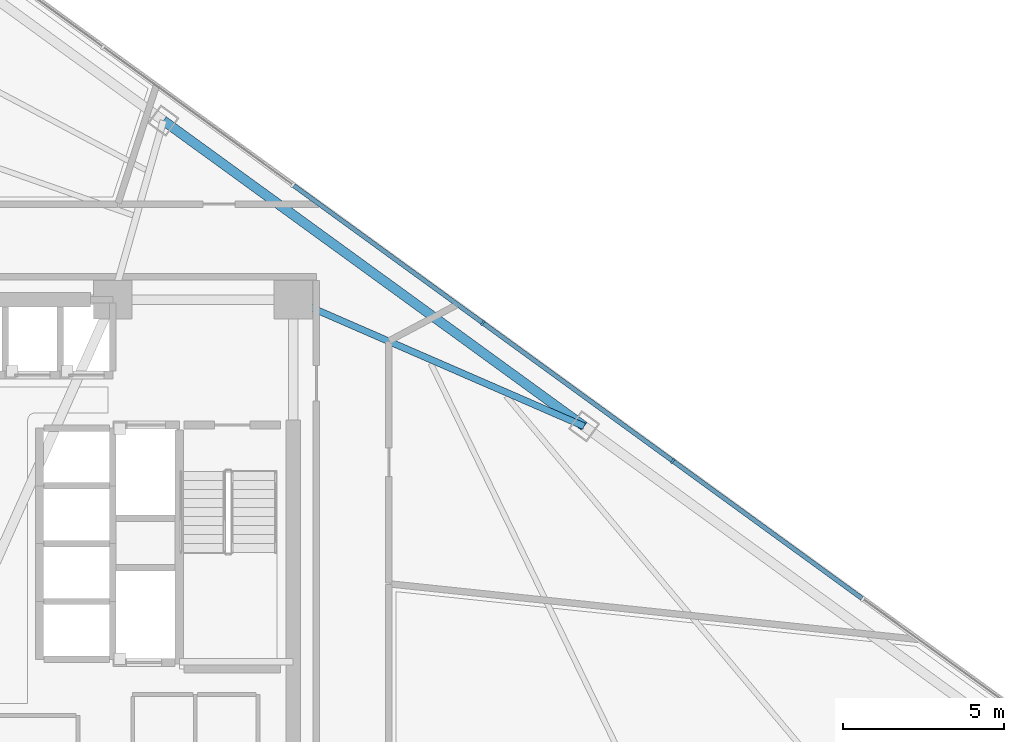
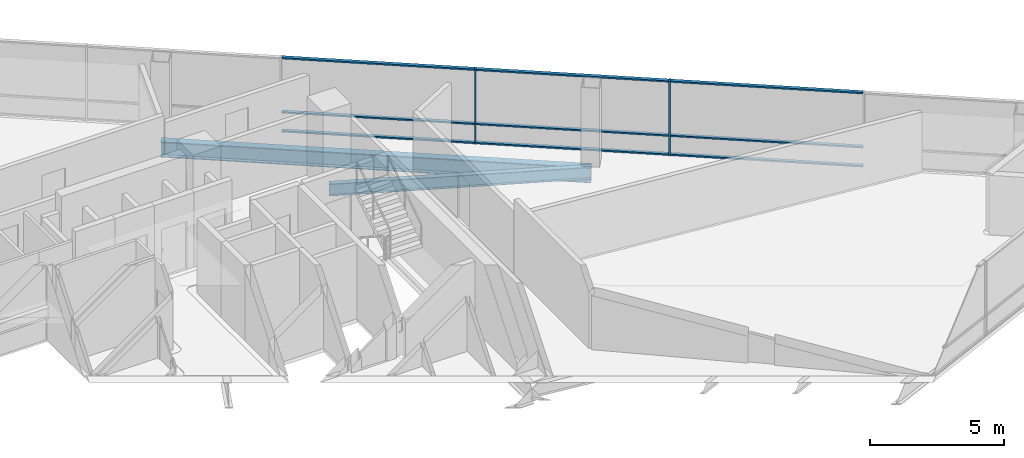
# One storey, part 9 of 19: 11 members, 2 beams, 1 element without a shape of its own.
"""IFC4 building model written with IfcOpenShell, lengths in metres."""

from ifc_helpers import new_model, si_unit, direction, frame, origin, origin_2d, place, context, subcontext, project, spatial, rectangle, i_section, extrude, material, layer, layer_set, material_profile, profile_set, type_object, element, aggregate, save


model = new_model("IFC4")

# Units and contexts
model_context = context("Model", 3, precision=1e-05, world=origin(), true_north=direction((0.0, 1.0)))
body_context = subcontext(model_context, "Body", "Model", "MODEL_VIEW")
ifc_project = project(units=[si_unit("LENGTHUNIT", "METRE"), si_unit("AREAUNIT", "SQUARE_METRE"), si_unit("VOLUMEUNIT", "CUBIC_METRE"), si_unit("PLANEANGLEUNIT", "RADIAN"), si_unit("MASSUNIT", "GRAM", prefix="KILO")], contexts=[model_context])

# Site, building, storey
site_placement = place(None, origin())
site = spatial("IfcSite", under=ifc_project, at=site_placement, CompositionType="ELEMENT")
building_placement = place(site_placement, origin())
building = spatial("IfcBuilding", under=site, at=building_placement, Name="Tharavind Bronze Gate", CompositionType="ELEMENT")
storey_placement = place(building_placement, frame((0.0, 0.0, 116.050048828125)))
storey = spatial("IfcBuildingStorey", under=building, at=storey_placement, Name="L29", CompositionType="ELEMENT", Elevation=116.050048828125)

# Curtain wall, members
ifc_material_1 = material(Name="Anodised Bronze Aluminium", Category="aluminium")
ifc_layer = layer(ifc_material_1, 0.219970703125)
ifc_layer_set = layer_set([ifc_layer], Name="Anodised Bronze Aluminium")
curtain_wall_type = type_object("IfcCurtainWallType", Name="UNITISED CURTAIN WALL LOWER OFFICE", PredefinedType="USERDEFINED", material=ifc_layer_set)
curtain_wall_placement = place(storey_placement, origin())
curtain_wall = element("IfcCurtainWall", 1, at=curtain_wall_placement, inside=storey, type_object=curtain_wall_type, Name="L29 unitised curtain wall lower office CW-L29-S3", ObjectType="UNITISED CURTAIN WALL", PredefinedType="USERDEFINED")
member_type_1 = type_object("IfcMemberType", Name="CURTAIN WALL BRONZE MULLION 65X180", PredefinedType="MULLION", material=ifc_material_1)
member_1_placement = place(storey_placement, frame((20.724365234375, 2.577392578125, 0.0), z_axis=(0.0, 0.0, 1.0), x_axis=(-0.809016994375, 0.587785252292, 0.0)))
member_1 = element("IfcMember", 2, at=member_1_placement, type_object=member_type_1, Name="CW-L29-S3 mullion 3", PredefinedType="MULLION", context=body_context, shape_type="SweptSolid", body=[
    extrude(rectangle(XDim=0.06494140625, YDim=0.179931640625, at=origin_2d()), origin(), (0.0, 0.0, 1.0), 3.409912109375),
])
member_2_placement = place(storey_placement, frame((14.807861328125, 6.876220703125, 0.0), z_axis=(0.0, 0.0, 1.0), x_axis=(-0.809016994375, 0.587785252292, 0.0)))
member_2 = element("IfcMember", 3, at=member_2_placement, type_object=member_type_1, Name="CW-L29-S3 mullion 4", PredefinedType="MULLION", context=body_context, shape_type="SweptSolid", body=[
    extrude(rectangle(XDim=0.06494140625, YDim=0.179931640625, at=origin_2d()), origin(), (0.0, 0.0, 1.0), 3.409912109375),
])
member_type_2 = type_object("IfcMemberType", Name="CURTAIN WALL BRONZE TRANSOM 65X140", PredefinedType="USERDEFINED", material=ifc_material_1)
member_3_placement = place(storey_placement, frame((23.6826171875, 0.427978515625, 0.0), z_axis=(0.0, 0.0, 1.0), x_axis=(-0.809016994375, 0.587785252292, 0.0)))
member_3 = element("IfcMember", 4, at=member_3_placement, type_object=member_type_2, Name="CW-L29-S3 transom TB2", ObjectType="TRANSOM", PredefinedType="USERDEFINED", context=body_context, shape_type="SweptSolid", body=[
    extrude(rectangle(XDim=7.260498046875, YDim=0.139892578125, at=origin_2d()), origin(), (0.0, 0.0, 1.0), 0.06494140625),
])
member_4_placement = place(storey_placement, frame((23.6826171875, 0.427978515625, 0.867431640625), z_axis=(0.0, 0.0, 1.0), x_axis=(-0.809016994375, 0.587785252292, 0.0)))
member_4 = element("IfcMember", 5, at=member_4_placement, type_object=member_type_2, Name="CW-L29-S3 transom TS2", ObjectType="TRANSOM", PredefinedType="USERDEFINED", context=body_context, shape_type="SweptSolid", body=[
    extrude(rectangle(XDim=7.260498046875, YDim=0.139892578125, at=origin_2d()), origin(), (0.0, 0.0, 1.0), 0.06494140625),
])
member_5_placement = place(storey_placement, frame((23.6826171875, 0.427978515625, 3.344970703125), z_axis=(0.0, 0.0, 1.0), x_axis=(-0.809016994375, 0.587785252292, 0.0)))
member_5 = element("IfcMember", 6, at=member_5_placement, type_object=member_type_2, Name="CW-L29-S3 transom TT2", ObjectType="TRANSOM", PredefinedType="USERDEFINED", context=body_context, shape_type="SweptSolid", body=[
    extrude(rectangle(XDim=7.260498046875, YDim=0.139892578125, at=origin_2d()), origin(), (0.0, 0.0, 1.0), 0.06494140625),
])
member_6_placement = place(storey_placement, frame((17.76611328125, 4.726806640625, 0.0), z_axis=(0.0, 0.0, 1.0), x_axis=(-0.809016994375, 0.587785252292, 0.0)))
member_6 = element("IfcMember", 7, at=member_6_placement, type_object=member_type_2, Name="CW-L29-S3 transom TB3", ObjectType="TRANSOM", PredefinedType="USERDEFINED", context=body_context, shape_type="SweptSolid", body=[
    extrude(rectangle(XDim=7.260498046875, YDim=0.139892578125, at=origin_2d()), origin(), (0.0, 0.0, 1.0), 0.06494140625),
])
member_7_placement = place(storey_placement, frame((17.76611328125, 4.726806640625, 0.867431640625), z_axis=(0.0, 0.0, 1.0), x_axis=(-0.809016994375, 0.587785252292, 0.0)))
member_7 = element("IfcMember", 8, at=member_7_placement, type_object=member_type_2, Name="CW-L29-S3 transom TS3", ObjectType="TRANSOM", PredefinedType="USERDEFINED", context=body_context, shape_type="SweptSolid", body=[
    extrude(rectangle(XDim=7.260498046875, YDim=0.139892578125, at=origin_2d()), origin(), (0.0, 0.0, 1.0), 0.06494140625),
])
member_8_placement = place(storey_placement, frame((17.76611328125, 4.726806640625, 3.344970703125), z_axis=(0.0, 0.0, 1.0), x_axis=(-0.809016994375, 0.587785252292, 0.0)))
member_8 = element("IfcMember", 9, at=member_8_placement, type_object=member_type_2, Name="CW-L29-S3 transom TT3", ObjectType="TRANSOM", PredefinedType="USERDEFINED", context=body_context, shape_type="SweptSolid", body=[
    extrude(rectangle(XDim=7.260498046875, YDim=0.139892578125, at=origin_2d()), origin(), (0.0, 0.0, 1.0), 0.06494140625),
])
member_9_placement = place(storey_placement, frame((11.849365234375, 9.025390625, 0.0), z_axis=(0.0, 0.0, 1.0), x_axis=(-0.809016994375, 0.587785252292, 0.0)))
member_9 = element("IfcMember", 10, at=member_9_placement, type_object=member_type_2, Name="CW-L29-S3 transom TB4", ObjectType="TRANSOM", PredefinedType="USERDEFINED", context=body_context, shape_type="SweptSolid", body=[
    extrude(rectangle(XDim=7.260498046875, YDim=0.139892578125, at=origin_2d()), origin(), (0.0, 0.0, 1.0), 0.06494140625),
])
member_10_placement = place(storey_placement, frame((11.849365234375, 9.025390625, 0.867431640625), z_axis=(0.0, 0.0, 1.0), x_axis=(-0.809016994375, 0.587785252292, 0.0)))
member_10 = element("IfcMember", 11, at=member_10_placement, type_object=member_type_2, Name="CW-L29-S3 transom TS4", ObjectType="TRANSOM", PredefinedType="USERDEFINED", context=body_context, shape_type="SweptSolid", body=[
    extrude(rectangle(XDim=7.260498046875, YDim=0.139892578125, at=origin_2d()), origin(), (0.0, 0.0, 1.0), 0.06494140625),
])
member_11_placement = place(storey_placement, frame((11.849365234375, 9.025390625, 3.344970703125), z_axis=(0.0, 0.0, 1.0), x_axis=(-0.809016994375, 0.587785252292, 0.0)))
member_11 = element("IfcMember", 12, at=member_11_placement, type_object=member_type_2, Name="CW-L29-S3 transom TT4", ObjectType="TRANSOM", PredefinedType="USERDEFINED", context=body_context, shape_type="SweptSolid", body=[
    extrude(rectangle(XDim=7.260498046875, YDim=0.139892578125, at=origin_2d()), origin(), (0.0, 0.0, 1.0), 0.06494140625),
])
aggregate(curtain_wall, [member_1, member_2, member_3, member_4, member_5, member_6, member_7, member_8, member_9, member_10, member_11])

# Beams
ifc_material_2 = material(Name="Steel S355", Category="steel")
ifc_material_profile_1 = material_profile(ifc_material_2, i_section(OverallWidth=0.2099609375, OverallDepth=0.550048828125, WebThickness=0.010986328125, FlangeThickness=0.01708984375, at=origin_2d()), Name="IPE550")
ifc_profile_set_1 = profile_set([ifc_material_profile_1], Name="Steel S355")
beam_type_1 = type_object("IfcBeamType", Name="PRIMARY GIRDER IPE550", PredefinedType="USERDEFINED", material=ifc_profile_set_1)
beam_1_placement = place(storey_placement, frame((17.961181640625, 3.658203125, -0.465087890625), z_axis=(-0.916988336064, 0.398914015199, 0.0), x_axis=(-0.398914015199, -0.916988336064, 0.0)))
element("IfcBeam", 13, at=beam_1_placement, inside=storey, type_object=beam_type_1, Name="L29 primary girder ipe550 BM-L29-RAD10", ObjectType="GIRDER", PredefinedType="USERDEFINED", context=body_context, shape_type="SweptSolid", body=[
    extrude(i_section(OverallWidth=0.2099609375, OverallDepth=0.550048828125, WebThickness=0.010986328125, FlangeThickness=0.01708984375, at=origin_2d()), origin(), (0.0, 0.0, 1.0), 9.881591796875),
])
ifc_material_profile_2 = material_profile(ifc_material_2, i_section(OverallWidth=0.300048828125, OverallDepth=0.699951171875, WebThickness=0.01708984375, FlangeThickness=0.031982421875, at=origin_2d()), Name="HE700B")
ifc_profile_set_2 = profile_set([ifc_material_profile_2], Name="Steel S355")
beam_type_2 = type_object("IfcBeamType", Name="RING GIRDER HE700B", PredefinedType="USERDEFINED", material=ifc_profile_set_2)
beam_2_placement = place(storey_placement, frame((17.961181640625, 3.658203125, -0.5400390625), z_axis=(-0.809019501524, 0.587781801482, 0.0), x_axis=(-0.587781801482, -0.809019501524, 0.0)))
element("IfcBeam", 14, at=beam_2_placement, inside=storey, type_object=beam_type_2, Name="L29 ring girder he700b BM-L29-PRG10", ObjectType="GIRDER", PredefinedType="USERDEFINED", context=body_context, shape_type="SweptSolid", body=[
    extrude(i_section(OverallWidth=0.300048828125, OverallDepth=0.699951171875, WebThickness=0.01708984375, FlangeThickness=0.031982421875, at=origin_2d()), origin(), (0.0, 0.0, 1.0), 16.198486328125),
])

save(model, "model.ifc")
